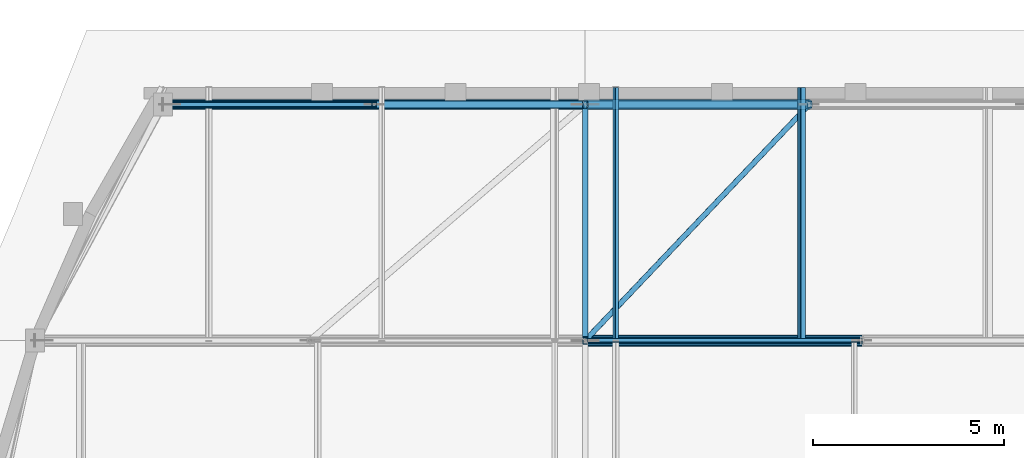
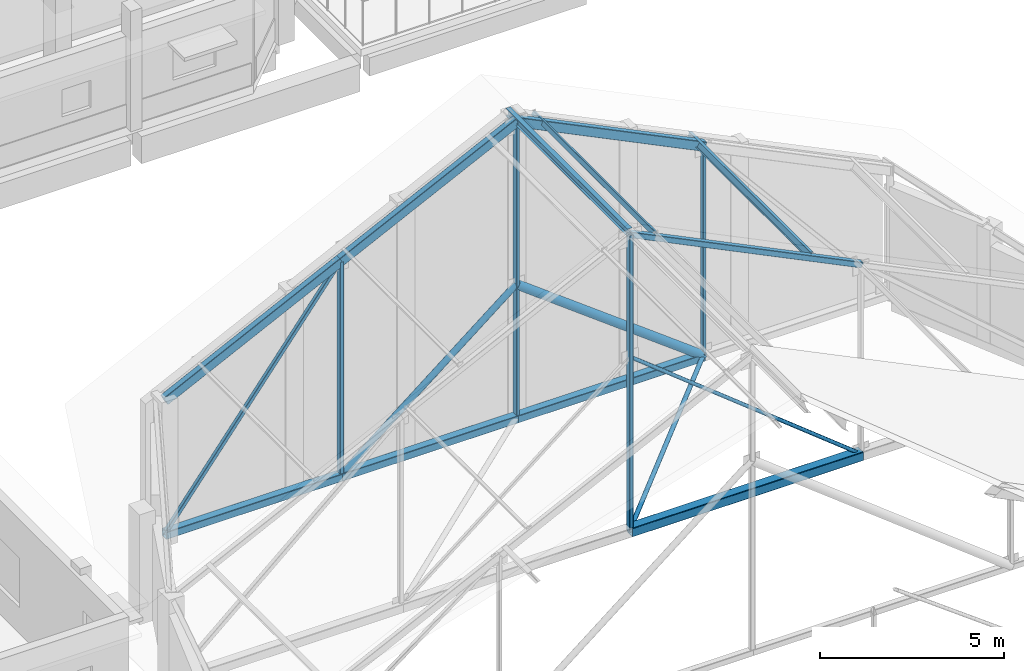
# One storey, part 34 of 78: 20 members.
"""IFC4 building model written with IfcOpenShell, lengths in metres."""

from ifc_helpers import new_model, si_unit, direction, frame, origin, origin_2d, place, context, subcontext, project, spatial, hollow_rectangle, hollow_circle, i_section, extrude, material, material_profile, profile_set, type_object, element, save


model = new_model("IFC4")

# Units and contexts
model_context = context("Model", 3, precision=1e-05, world=origin(), true_north=direction((0.0, 1.0)))
body_context = subcontext(model_context, "Body", "Model", "MODEL_VIEW")
ifc_project = project(units=[si_unit("LENGTHUNIT", "METRE"), si_unit("AREAUNIT", "SQUARE_METRE"), si_unit("VOLUMEUNIT", "CUBIC_METRE"), si_unit("PLANEANGLEUNIT", "RADIAN"), si_unit("MASSUNIT", "GRAM", prefix="KILO")], contexts=[model_context])

# Site, building, storey
site_placement = place(None, origin())
site = spatial("IfcSite", under=ifc_project, at=site_placement, CompositionType="ELEMENT")
building_placement = place(site_placement, origin())
building = spatial("IfcBuilding", under=site, at=building_placement, Name="Kelanivale Promenade Academy", CompositionType="ELEMENT")
storey_placement = place(building_placement, frame((0.0, 0.0, 16.199951171875)))
storey = spatial("IfcBuildingStorey", under=building, at=storey_placement, Name="L04", CompositionType="ELEMENT", Elevation=16.199951171875)

# Members
ifc_material = material(Name="Steel S355", Category="steel")
ifc_material_profile_1 = material_profile(ifc_material, i_section(OverallWidth=0.13330078125, OverallDepth=0.203125, WebThickness=0.005615234375, FlangeThickness=0.0078125, FilletRadius=0.007568359375, at=origin_2d()), Name="UB 203x133x25")
ifc_profile_set_1 = profile_set([ifc_material_profile_1], Name="Steel S355")
member_type_1 = type_object("IfcMemberType", Name="PR-01 UB 203x133x25", PredefinedType="PURLIN", material=ifc_profile_set_1)
member_1_placement = place(storey_placement, frame((144.868896484375, 72.77099609375, 7.3349609375), z_axis=(0.0, 1.0, 0.0), x_axis=(-0.898564392509, 0.0, 0.438841694139)))
element("IfcMember", 1, at=member_1_placement, inside=storey, type_object=member_type_1, Name="Assembly Hall Arc Pavilion roof purlin PR-01", PredefinedType="PURLIN", context=body_context, shape_type="SweptSolid", body=[
    extrude(i_section(OverallWidth=0.13330078125, OverallDepth=0.203125, WebThickness=0.005615234375, FlangeThickness=0.0078125, FilletRadius=0.007568359375, at=origin_2d()), origin(), (0.0, 0.0, 1.0), 6.62890625),
])
ifc_material_profile_2 = material_profile(ifc_material, i_section(OverallWidth=0.14599609375, OverallDepth=0.25146484375, WebThickness=0.006103515625, FlangeThickness=0.008544921875, FilletRadius=0.007568359375, at=origin_2d()), Name="UB 254x146x31")
ifc_profile_set_2 = profile_set([ifc_material_profile_2], Name="Steel S355")
member_type_2 = type_object("IfcMemberType", Name="PR-02 UB 254x146x31", PredefinedType="PURLIN", material=ifc_profile_set_2)
member_2_placement = place(storey_placement, frame((139.199951171875, 72.77099609375, 10.087158203125), z_axis=(0.0, 1.0, 0.0), x_axis=(-1.0, 0.0, 0.0)))
element("IfcMember", 2, at=member_2_placement, inside=storey, type_object=member_type_2, Name="Assembly Hall Arc Pavilion roof tie purlin PR-02", PredefinedType="PURLIN", context=body_context, shape_type="SweptSolid", body=[
    extrude(i_section(OverallWidth=0.14599609375, OverallDepth=0.25146484375, WebThickness=0.006103515625, FlangeThickness=0.008544921875, FilletRadius=0.007568359375, at=origin_2d()), origin(), (0.0, 0.0, 1.0), 6.62890625),
])
ifc_material_profile_3 = material_profile(ifc_material, hollow_rectangle(XDim=0.10009765625, YDim=0.14990234375, WallThickness=0.008056640625, InnerFilletRadius=0.008056640625, OuterFilletRadius=0.01611328125, at=origin_2d()), Name="RHS 150x100x8.0")
ifc_profile_set_3 = profile_set([ifc_material_profile_3], Name="Steel S355")
member_type_3 = type_object("IfcMemberType", Name="PR-04 RHS 150x100x8.0", PredefinedType="PURLIN", material=ifc_profile_set_3)
member_3_placement = place(storey_placement, frame((140.0, 72.77099609375, 9.7431640625), z_axis=(0.0, 1.0, 0.0), x_axis=(-0.898564392509, 0.0, 0.438841694139)))
element("IfcMember", 3, at=member_3_placement, inside=storey, type_object=member_type_3, Name="Assembly Hall Arc Pavilion roof purlin PR-04", PredefinedType="PURLIN", context=body_context, shape_type="SweptSolid", body=[
    extrude(hollow_rectangle(XDim=0.10009765625, YDim=0.14990234375, WallThickness=0.008056640625, InnerFilletRadius=0.008056640625, OuterFilletRadius=0.01611328125, at=origin_2d()), origin(), (0.0, 0.0, 1.0), 6.62890625),
])
ifc_material_profile_4 = material_profile(ifc_material, hollow_rectangle(XDim=0.300048828125, YDim=0.300048828125, WallThickness=0.01611328125, InnerFilletRadius=0.01611328125, OuterFilletRadius=0.031982421875, at=origin_2d()), Name="SHS 300x300x16.0")
ifc_profile_set_4 = profile_set([ifc_material_profile_4], Name="Steel S355")
member_type_4 = type_object("IfcMemberType", Name="TC-01 SHS 300x300x16.0", PredefinedType="CHORD", material=ifc_profile_set_4)
member_4_placement = place(storey_placement, frame((139.199951171875, 72.77099609375, 0.199951171875), z_axis=(1.0, 0.0, 0.0), x_axis=(0.0, 1.0, 0.0)))
element("IfcMember", 4, at=member_4_placement, inside=storey, type_object=member_type_4, Name="ROOF TRUSS AH-TR7 bottom chord 3", PredefinedType="CHORD", context=body_context, shape_type="SweptSolid", body=[
    extrude(hollow_rectangle(XDim=0.300048828125, YDim=0.300048828125, WallThickness=0.01611328125, InnerFilletRadius=0.01611328125, OuterFilletRadius=0.031982421875, at=origin_2d()), origin(), (0.0, 0.0, 1.0), 7.2451171875),
])
ifc_material_profile_5 = material_profile(ifc_material, hollow_rectangle(XDim=0.25, YDim=0.25, WallThickness=0.012451171875, InnerFilletRadius=0.012451171875, OuterFilletRadius=0.02490234375, at=origin_2d()), Name="SHS 250x250x12.5")
ifc_profile_set_5 = profile_set([ifc_material_profile_5], Name="Steel S355")
member_type_5 = type_object("IfcMemberType", Name="TC-02 SHS 250x250x12.5", PredefinedType="CHORD", material=ifc_profile_set_5)
member_5_placement = place(storey_placement, frame((128.14990234375, 78.949951171875, 0.199951171875), z_axis=(1.0, 0.0, 0.0), x_axis=(0.0, 1.0, 0.0)))
element("IfcMember", 5, at=member_5_placement, inside=storey, type_object=member_type_5, Name="ROOF TRUSS AH-TR8 bottom chord 1", PredefinedType="CHORD", context=body_context, shape_type="SweptSolid", body=[
    extrude(hollow_rectangle(XDim=0.25, YDim=0.25, WallThickness=0.012451171875, InnerFilletRadius=0.012451171875, OuterFilletRadius=0.02490234375, at=origin_2d()), origin(), (0.0, 0.0, 1.0), 5.525146484375),
])
member_6_placement = place(storey_placement, frame((133.675048828125, 78.949951171875, 0.199951171875), z_axis=(1.0, 0.0, 0.0), x_axis=(0.0, 1.0, 0.0)))
element("IfcMember", 6, at=member_6_placement, inside=storey, type_object=member_type_5, Name="ROOF TRUSS AH-TR8 bottom chord 2", PredefinedType="CHORD", context=body_context, shape_type="SweptSolid", body=[
    extrude(hollow_rectangle(XDim=0.25, YDim=0.25, WallThickness=0.012451171875, InnerFilletRadius=0.012451171875, OuterFilletRadius=0.02490234375, at=origin_2d()), origin(), (0.0, 0.0, 1.0), 5.52490234375),
])
member_7_placement = place(storey_placement, frame((139.199951171875, 78.949951171875, 0.199951171875), z_axis=(1.0, 0.0, 0.0), x_axis=(0.0, 1.0, 0.0)))
element("IfcMember", 7, at=member_7_placement, inside=storey, type_object=member_type_5, Name="ROOF TRUSS AH-TR8 bottom chord 3", PredefinedType="CHORD", context=body_context, shape_type="SweptSolid", body=[
    extrude(hollow_rectangle(XDim=0.25, YDim=0.25, WallThickness=0.012451171875, InnerFilletRadius=0.012451171875, OuterFilletRadius=0.02490234375, at=origin_2d()), origin(), (0.0, 0.0, 1.0), 5.869140625),
])
ifc_material_profile_6 = material_profile(ifc_material, hollow_rectangle(XDim=0.179931640625, YDim=0.179931640625, WallThickness=0.010009765625, InnerFilletRadius=0.010009765625, OuterFilletRadius=0.02001953125, at=origin_2d()), Name="SHS 180x180x10.0")
ifc_profile_set_6 = profile_set([ifc_material_profile_6], Name="Steel S355")
member_type_6 = type_object("IfcMemberType", Name="TC-04 SHS 180x180x10.0", PredefinedType="CHORD", material=ifc_profile_set_6)
member_8_placement = place(storey_placement, frame((139.199951171875, 72.77099609375, 10.0419921875), z_axis=(0.898590561959, 0.0, -0.43878810599), x_axis=(0.0, 1.0, 0.0)))
element("IfcMember", 8, at=member_8_placement, inside=storey, type_object=member_type_6, Name="ROOF TRUSS AH-TR7 top chord 3", PredefinedType="CHORD", context=body_context, shape_type="SweptSolid", body=[
    extrude(hollow_rectangle(XDim=0.179931640625, YDim=0.179931640625, WallThickness=0.010009765625, InnerFilletRadius=0.010009765625, OuterFilletRadius=0.02001953125, at=origin_2d()), origin(), (0.0, 0.0, 1.0), 8.062744140625),
])
ifc_material_profile_7 = material_profile(ifc_material, hollow_rectangle(XDim=0.199951171875, YDim=0.300048828125, WallThickness=0.012451171875, InnerFilletRadius=0.012451171875, OuterFilletRadius=0.02490234375, at=origin_2d()), Name="RHS 300x200x12.5")
ifc_profile_set_7 = profile_set([ifc_material_profile_7], Name="Steel S355")
member_type_7 = type_object("IfcMemberType", Name="TC-05 RHS 300x200x12.5", PredefinedType="CHORD", material=ifc_profile_set_7)
member_9_placement = place(storey_placement, frame((128.14990234375, 78.949951171875, 4.64501953125), z_axis=(0.898526005519, 0.0, 0.438920285936), x_axis=(0.0, 1.0, 0.0)))
element("IfcMember", 9, at=member_9_placement, inside=storey, type_object=member_type_7, Name="ROOF TRUSS AH-TR8 top chord 1", PredefinedType="CHORD", context=body_context, shape_type="SweptSolid", body=[
    extrude(hollow_rectangle(XDim=0.199951171875, YDim=0.300048828125, WallThickness=0.012451171875, InnerFilletRadius=0.012451171875, OuterFilletRadius=0.02490234375, at=origin_2d()), origin(), (0.0, 0.0, 1.0), 6.149169921875),
])
member_10_placement = place(storey_placement, frame((133.675048828125, 78.949951171875, 7.343994140625), z_axis=(0.898580988374, 0.0, 0.438807711114), x_axis=(0.0, 1.0, 0.0)))
element("IfcMember", 10, at=member_10_placement, inside=storey, type_object=member_type_7, Name="ROOF TRUSS AH-TR8 top chord 2", PredefinedType="CHORD", context=body_context, shape_type="SweptSolid", body=[
    extrude(hollow_rectangle(XDim=0.199951171875, YDim=0.300048828125, WallThickness=0.012451171875, InnerFilletRadius=0.012451171875, OuterFilletRadius=0.02490234375, at=origin_2d()), origin(), (0.0, 0.0, 1.0), 6.1484375),
])
member_11_placement = place(storey_placement, frame((139.199951171875, 78.949951171875, 10.0419921875), z_axis=(0.898589109791, 0.0, -0.43879107986), x_axis=(0.0, 1.0, 0.0)))
element("IfcMember", 11, at=member_11_placement, inside=storey, type_object=member_type_7, Name="ROOF TRUSS AH-TR8 top chord 3", PredefinedType="CHORD", context=body_context, shape_type="SweptSolid", body=[
    extrude(hollow_rectangle(XDim=0.199951171875, YDim=0.300048828125, WallThickness=0.012451171875, InnerFilletRadius=0.012451171875, OuterFilletRadius=0.02490234375, at=origin_2d()), origin(), (0.0, 0.0, 1.0), 6.531494140625),
])
ifc_material_profile_8 = material_profile(ifc_material, hollow_rectangle(XDim=0.1201171875, YDim=0.1201171875, WallThickness=0.008056640625, InnerFilletRadius=0.008056640625, OuterFilletRadius=0.01611328125, at=origin_2d()), Name="SHS 120x120x8.0")
ifc_profile_set_8 = profile_set([ifc_material_profile_8], Name="Steel S355")
member_type_8 = type_object("IfcMemberType", Name="TD-02 SHS 120x120x8.0", PredefinedType="BRACE", material=ifc_profile_set_8)
member_12_placement = place(storey_placement, frame((128.14990234375, 78.949951171875, 0.199951171875), z_axis=(0.611776736333, 0.0, 0.791030482903), x_axis=(0.0, 1.0, 0.0)))
element("IfcMember", 12, at=member_12_placement, inside=storey, type_object=member_type_8, Name="ROOF TRUSS AH-TR8 web diagonal 1", PredefinedType="BRACE", context=body_context, shape_type="SweptSolid", body=[
    extrude(hollow_rectangle(XDim=0.1201171875, YDim=0.1201171875, WallThickness=0.008056640625, InnerFilletRadius=0.008056640625, OuterFilletRadius=0.01611328125, at=origin_2d()), origin(), (0.0, 0.0, 1.0), 9.03125),
])
ifc_material_profile_9 = material_profile(ifc_material, hollow_circle(Radius=0.06982421875, WallThickness=0.008056640625, at=origin_2d()), Name="CHS 139.7x8.0")
ifc_profile_set_9 = profile_set([ifc_material_profile_9], Name="Steel S355")
member_type_9 = type_object("IfcMemberType", Name="TD-05 CHS 139.7x8.0", PredefinedType="BRACE", material=ifc_profile_set_9)
member_13_placement = place(storey_placement, frame((139.199951171875, 72.77099609375, 0.199951171875), z_axis=(0.688696004002, 0.725050214862, 0.0), x_axis=(-0.725050214862, 0.688696004002, 0.0)))
element("IfcMember", 13, at=member_13_placement, inside=storey, type_object=member_type_9, Name="Assembly Hall Arc Pavilion roof wind brace TD-05", PredefinedType="BRACE", context=body_context, shape_type="SweptSolid", body=[
    extrude(hollow_circle(Radius=0.06982421875, WallThickness=0.008056640625, at=origin_2d()), origin(), (0.0, 0.0, 1.0), 8.522216796875),
])
ifc_material_profile_10 = material_profile(ifc_material, hollow_circle(Radius=0.05712890625, WallThickness=0.00634765625, at=origin_2d()), Name="CHS 114.3x6.3")
ifc_profile_set_10 = profile_set([ifc_material_profile_10], Name="Steel S355")
member_type_10 = type_object("IfcMemberType", Name="TD-06 CHS 114.3x6.3", PredefinedType="BRACE", material=ifc_profile_set_10)
member_14_placement = place(storey_placement, frame((146.445068359375, 72.77099609375, 0.199951171875), z_axis=(-0.782766915922, 0.0, 0.622314996878), x_axis=(0.0, -1.0, 0.0)))
element("IfcMember", 14, at=member_14_placement, inside=storey, type_object=member_type_10, Name="ROOF TRUSS AH-TR7 web diagonal 3", PredefinedType="BRACE", context=body_context, shape_type="SweptSolid", body=[
    extrude(hollow_circle(Radius=0.05712890625, WallThickness=0.00634765625, at=origin_2d()), origin(), (0.0, 0.0, 1.0), 9.255859375),
])
ifc_material_profile_11 = material_profile(ifc_material, hollow_circle(Radius=0.096923828125, WallThickness=0.010009765625, at=origin_2d()), Name="CHS 193.7x10.0")
ifc_profile_set_11 = profile_set([ifc_material_profile_11], Name="Steel S355")
member_type_11 = type_object("IfcMemberType", Name="TD-07 CHS 193.7x10.0", PredefinedType="BRACE", material=ifc_profile_set_11)
member_15_placement = place(storey_placement, frame((133.675048828125, 78.949951171875, 0.199951171875), z_axis=(0.78085197737, 0.0, 0.624716087065), x_axis=(0.0, 1.0, 0.0)))
element("IfcMember", 15, at=member_15_placement, inside=storey, type_object=member_type_11, Name="ROOF TRUSS AH-TR8 web diagonal 2", PredefinedType="BRACE", context=body_context, shape_type="SweptSolid", body=[
    extrude(hollow_circle(Radius=0.096923828125, WallThickness=0.010009765625, at=origin_2d()), origin(), (0.0, 0.0, 1.0), 7.075439453125),
])
ifc_material_profile_12 = material_profile(ifc_material, hollow_circle(Radius=0.136474609375, WallThickness=0.012451171875, at=origin_2d()), Name="CHS 273.0x12.5")
ifc_profile_set_12 = profile_set([ifc_material_profile_12], Name="Steel S355")
member_type_12 = type_object("IfcMemberType", Name="TD-08 CHS 273.0x12.5", PredefinedType="BRACE", material=ifc_profile_set_12)
member_16_placement = place(storey_placement, frame((145.069091796875, 78.949951171875, 0.199951171875), z_axis=(-0.798802200472, 0.0, 0.601593753725), x_axis=(0.0, -1.0, 0.0)))
element("IfcMember", 16, at=member_16_placement, inside=storey, type_object=member_type_12, Name="ROOF TRUSS AH-TR8 web diagonal 3", PredefinedType="BRACE", context=body_context, shape_type="SweptSolid", body=[
    extrude(hollow_circle(Radius=0.136474609375, WallThickness=0.012451171875, at=origin_2d()), origin(), (0.0, 0.0, 1.0), 7.347412109375),
])
ifc_material_profile_13 = material_profile(ifc_material, hollow_rectangle(XDim=0.1201171875, YDim=0.199951171875, WallThickness=0.010009765625, InnerFilletRadius=0.010009765625, OuterFilletRadius=0.02001953125, at=origin_2d()), Name="RHS 200x120x10.0")
ifc_profile_set_13 = profile_set([ifc_material_profile_13], Name="Steel S355")
member_type_13 = type_object("IfcMemberType", Name="TV-01 RHS 200x120x10.0", PredefinedType="STRUT", material=ifc_profile_set_13)
member_17_placement = place(storey_placement, frame((139.199951171875, 72.77099609375, 0.199951171875), z_axis=(0.0, 0.0, 1.0), x_axis=(1.0, 0.0, 0.0)))
element("IfcMember", 17, at=member_17_placement, inside=storey, type_object=member_type_13, Name="ROOF TRUSS AH-TR7 vertical strut 2", PredefinedType="STRUT", context=body_context, shape_type="SweptSolid", body=[
    extrude(hollow_rectangle(XDim=0.1201171875, YDim=0.199951171875, WallThickness=0.010009765625, InnerFilletRadius=0.010009765625, OuterFilletRadius=0.02001953125, at=origin_2d()), origin(), (0.0, 0.0, 1.0), 9.842041015625),
])
member_18_placement = place(storey_placement, frame((133.675048828125, 78.949951171875, 0.199951171875), z_axis=(0.0, 0.0, 1.0), x_axis=(1.0, 0.0, 0.0)))
element("IfcMember", 18, at=member_18_placement, inside=storey, type_object=member_type_13, Name="ROOF TRUSS AH-TR8 vertical strut 1", PredefinedType="STRUT", context=body_context, shape_type="SweptSolid", body=[
    extrude(hollow_rectangle(XDim=0.1201171875, YDim=0.199951171875, WallThickness=0.010009765625, InnerFilletRadius=0.010009765625, OuterFilletRadius=0.02001953125, at=origin_2d()), origin(), (0.0, 0.0, 1.0), 7.14404296875),
])
ifc_material_profile_14 = material_profile(ifc_material, hollow_rectangle(XDim=0.10009765625, YDim=0.199951171875, WallThickness=0.008056640625, InnerFilletRadius=0.008056640625, OuterFilletRadius=0.01611328125, at=origin_2d()), Name="RHS 200x100x8.0")
ifc_profile_set_14 = profile_set([ifc_material_profile_14], Name="Steel S355")
member_type_14 = type_object("IfcMemberType", Name="TV-02 RHS 200x100x8.0", PredefinedType="STRUT", material=ifc_profile_set_14)
member_19_placement = place(storey_placement, frame((139.199951171875, 78.949951171875, 0.199951171875), z_axis=(0.0, 0.0, 1.0), x_axis=(1.0, 0.0, 0.0)))
element("IfcMember", 19, at=member_19_placement, inside=storey, type_object=member_type_14, Name="ROOF TRUSS AH-TR8 vertical strut 2", PredefinedType="STRUT", context=body_context, shape_type="SweptSolid", body=[
    extrude(hollow_rectangle(XDim=0.10009765625, YDim=0.199951171875, WallThickness=0.008056640625, InnerFilletRadius=0.008056640625, OuterFilletRadius=0.01611328125, at=origin_2d()), origin(), (0.0, 0.0, 1.0), 9.842041015625),
])
ifc_material_profile_15 = material_profile(ifc_material, hollow_rectangle(XDim=0.10009765625, YDim=0.14990234375, WallThickness=0.008056640625, InnerFilletRadius=0.008056640625, OuterFilletRadius=0.01611328125, at=origin_2d()), Name="RHS 150x100x8.0")
ifc_profile_set_15 = profile_set([ifc_material_profile_15], Name="Steel S355")
member_type_15 = type_object("IfcMemberType", Name="TV-03 RHS 150x100x8.0", PredefinedType="STRUT", material=ifc_profile_set_15)
member_20_placement = place(storey_placement, frame((145.069091796875, 78.949951171875, 0.199951171875), z_axis=(0.0, 0.0, 1.0), x_axis=(1.0, 0.0, 0.0)))
element("IfcMember", 20, at=member_20_placement, inside=storey, type_object=member_type_15, Name="ROOF TRUSS AH-TR8 vertical strut 3", PredefinedType="STRUT", context=body_context, shape_type="SweptSolid", body=[
    extrude(hollow_rectangle(XDim=0.10009765625, YDim=0.14990234375, WallThickness=0.008056640625, InnerFilletRadius=0.008056640625, OuterFilletRadius=0.01611328125, at=origin_2d()), origin(), (0.0, 0.0, 1.0), 6.97607421875),
])

save(model, "model.ifc")
